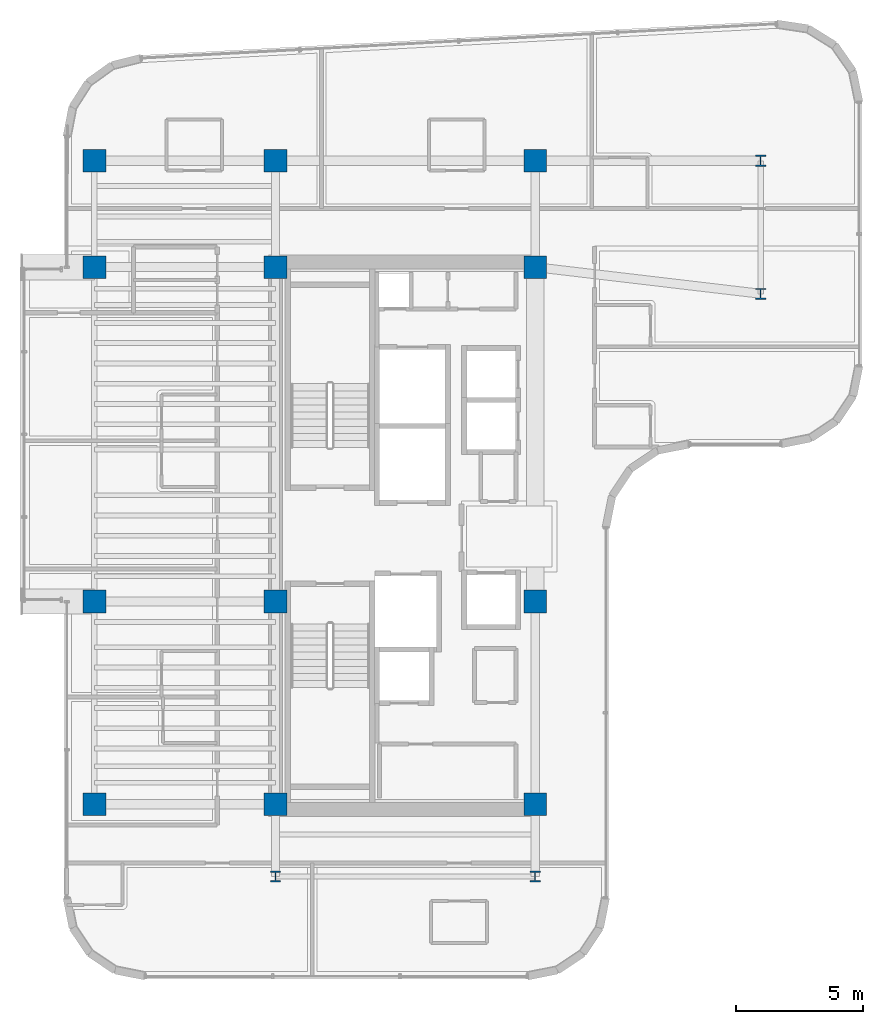
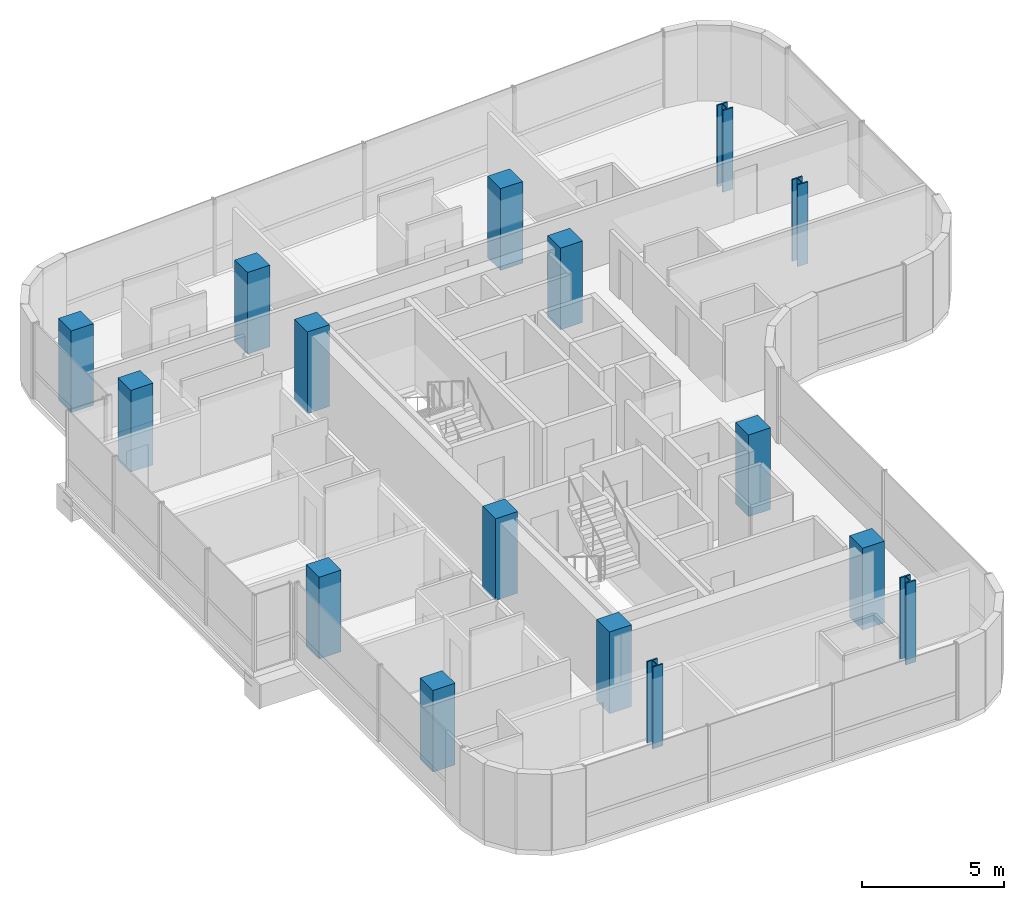
# One storey, part 1 of 22: 16 columns.
"""IFC4 building model written with IfcOpenShell, lengths in metres."""

import ifcopenshell
import ifcopenshell.guid

model = None  # the IFC model being written
_history = None  # IfcOwnerHistory: only IFC2X3 demands one
_inside = {}  # id of a spatial element -> (the spatial element, [elements in it])
_under = {}  # id of a project, library or spatial element -> (it, [spatial elements below it])
_declared = {}  # id of a project -> (the project, [libraries it declares])
_typed = {}  # id of a type object -> (the type object, [elements of that type])
_made_of = {}  # id of a material, layer set ... -> (it, [elements and type objects made of it])


def new_model(schema):
    """Start an empty IFC model of exactly this schema.

    Asked for "IFC4X3", IfcOpenShell would pick the latest addendum, in which some entities
    have other attributes; the version numbers below select the first issue.
    IFC2X3 requires an IfcOwnerHistory on every rooted entity: one is made here for all.
    """
    global model, _history
    if schema == "IFC4X3":
        model = ifcopenshell.file(schema_version=(4, 3, 0, 0))
    else:
        model = ifcopenshell.file(schema=schema)
    _inside.clear()
    _under.clear()
    _declared.clear()
    _typed.clear()
    _made_of.clear()
    _history = None
    if model.schema == "IFC2X3":
        org = make("IfcOrganization", Name="unknown")
        user = make(
            "IfcPersonAndOrganization",
            ThePerson=make("IfcPerson", FamilyName="unknown"),
            TheOrganization=org,
        )
        app = make(
            "IfcApplication",
            ApplicationDeveloper=org,
            Version="unknown",
            ApplicationFullName="unknown",
            ApplicationIdentifier="unknown",
        )
        _history = make(
            "IfcOwnerHistory",
            OwningUser=user,
            OwningApplication=app,
            ChangeAction="ADDED",
            CreationDate=0,
        )
    return model


def make(cls, **values):
    """One entity of the class cls with the attributes given. An attribute that is None is left unset."""
    return model.create_entity(
        cls, **{name: value for name, value in values.items() if value is not None}
    )


def rooted(cls, **values):
    """An entity with a GlobalId (a new one), such as an element, a storey or a relation."""
    return make(cls, GlobalId=ifcopenshell.guid.new(), OwnerHistory=_history, **values)


def si_unit(unit_type, name, prefix=None):
    """IfcSIUnit, for example si_unit("LENGTHUNIT", "METRE", prefix="MILLI")."""
    return make("IfcSIUnit", UnitType=unit_type, Prefix=prefix, Name=name)


def assignment(units):
    """IfcUnitAssignment: the units of a project."""
    return None if units is None else make("IfcUnitAssignment", Units=units)


def point(xyz):
    """IfcCartesianPoint."""
    return None if xyz is None else make("IfcCartesianPoint", Coordinates=xyz)


def direction(xyz):
    """IfcDirection."""
    return None if xyz is None else make("IfcDirection", DirectionRatios=xyz)


def frame(location, z_axis=None, x_axis=None):
    """IfcAxis2Placement3D, a coordinate frame: its origin and axes. An axis left out is left unset."""
    return make(
        "IfcAxis2Placement3D",
        Location=point(location),
        Axis=direction(z_axis),
        RefDirection=direction(x_axis),
    )


def frame_2d(location, x_axis=None):
    """IfcAxis2Placement2D, a coordinate frame in the plane: its origin and x axis."""
    return make(
        "IfcAxis2Placement2D", Location=point(location), RefDirection=direction(x_axis)
    )


def origin():
    """The frame at (0, 0, 0) with its axes left unset."""
    return frame((0.0, 0.0, 0.0))


def origin_2d():
    """The frame at (0, 0) in the plane with its x axis left unset."""
    return frame_2d((0.0, 0.0))


def place(relative_to, where):
    """IfcLocalPlacement: puts the frame where relative to a parent placement (None: the world)."""
    return make(
        "IfcLocalPlacement", PlacementRelTo=relative_to, RelativePlacement=where
    )


def context(
    kind, dimensions, precision=None, world=None, true_north=None, identifier=None
):
    """IfcGeometricRepresentationContext, for example the 3D "Model" context."""
    return make(
        "IfcGeometricRepresentationContext",
        ContextIdentifier=identifier,
        ContextType=kind,
        CoordinateSpaceDimension=dimensions,
        Precision=precision,
        WorldCoordinateSystem=world,
        TrueNorth=true_north,
    )


def subcontext(parent, identifier, kind, view, scale=None):
    """IfcGeometricRepresentationSubContext, for example "Body" below "Model"."""
    return make(
        "IfcGeometricRepresentationSubContext",
        ContextIdentifier=identifier,
        ContextType=kind,
        ParentContext=parent,
        TargetScale=scale,
        TargetView=view,
    )


def project(units=None, contexts=None):
    """IfcProject with its units and contexts."""
    return rooted(
        "IfcProject",
        Name="project",
        RepresentationContexts=contexts,
        UnitsInContext=assignment(units),
    )


def spatial(cls, under=None, at=None, **own):
    """A site, building, storey or space (cls), placed at a placement, below another one or the project."""
    s = rooted(cls, ObjectPlacement=at, **own)
    if under is not None:
        _under.setdefault(under.id(), (under, []))[1].append(s)
    return s


def profile(cls, at=None, kind="AREA", **sizes):
    """A parametric profile (cls). Its sizes go by their IFC names, for example OverallWidth=200.0."""
    return make(cls, ProfileType=kind, Position=at, **sizes)


def rectangle(**sizes):
    """IfcRectangleProfileDef."""
    return profile("IfcRectangleProfileDef", **sizes)


def i_section(**sizes):
    """IfcIShapeProfileDef."""
    return profile("IfcIShapeProfileDef", **sizes)


def extrude(swept, where, along, depth):
    """IfcExtrudedAreaSolid: the profile swept, set in the frame where, extruded along a direction by depth."""
    return make(
        "IfcExtrudedAreaSolid",
        SweptArea=swept,
        Position=where,
        ExtrudedDirection=direction(along),
        Depth=depth,
    )


def shape(context_of_items, identifier, shape_type, items):
    """IfcShapeRepresentation: the items that make up one representation, for example the "Body"."""
    return make(
        "IfcShapeRepresentation",
        ContextOfItems=context_of_items,
        RepresentationIdentifier=identifier,
        RepresentationType=shape_type,
        Items=items,
    )


def source(mapping_origin, context_of_items, identifier, shape_type, items):
    """IfcRepresentationMap: a shape defined once, which mapped items show again and again."""
    return make(
        "IfcRepresentationMap",
        MappingOrigin=mapping_origin,
        MappedRepresentation=shape(context_of_items, identifier, shape_type, items),
    )


def transform(
    local_origin,
    x_axis=None,
    y_axis=None,
    z_axis=None,
    scale=None,
    scale2=None,
    scale3=None,
    uniform=True,
):
    """IfcCartesianTransformationOperator3D, or its non-uniform kind. x_axis, y_axis, z_axis: its Axis1, 2, 3."""
    if uniform:
        return make(
            "IfcCartesianTransformationOperator3D",
            Axis1=direction(x_axis),
            Axis2=direction(y_axis),
            LocalOrigin=point(local_origin),
            Scale=scale,
            Axis3=direction(z_axis),
        )
    return make(
        "IfcCartesianTransformationOperator3DnonUniform",
        Axis1=direction(x_axis),
        Axis2=direction(y_axis),
        LocalOrigin=point(local_origin),
        Scale=scale,
        Axis3=direction(z_axis),
        Scale2=scale2,
        Scale3=scale3,
    )


def mapped(mapping_source, mapping_target):
    """IfcMappedItem: shows the shape of a source again, moved by a transform."""
    return make(
        "IfcMappedItem", MappingSource=mapping_source, MappingTarget=mapping_target
    )


def material(Name=None, Category=None):
    """IfcMaterial."""
    return make("IfcMaterial", Name=Name, Category=Category)


def material_profile(
    of_material, cross_section, Name=None, Category=None, Priority=None
):
    """IfcMaterialProfile: a cross section and its material."""
    return make(
        "IfcMaterialProfile",
        Name=Name,
        Material=of_material,
        Profile=cross_section,
        Priority=Priority,
        Category=Category,
    )


def profile_set(profiles, Name=None, composite=None):
    """IfcMaterialProfileSet."""
    return make(
        "IfcMaterialProfileSet",
        Name=Name,
        MaterialProfiles=profiles,
        CompositeProfile=composite,
    )


def made_of(thing, what):
    """Note that an element or type object is made of a material, layer set ...; save() writes the relation."""
    if what is not None:
        _made_of.setdefault(what.id(), (what, []))[1].append(thing)
    return thing


def type_object(cls, material=None, **own):
    """A type object (cls), such as IfcWallType, which elements share."""
    return made_of(rooted(cls, **own), material)


def element(
    cls,
    number,
    at=None,
    inside=None,
    cuts=None,
    type_object=None,
    material=None,
    context=None,
    identifier="Body",
    shape_type=None,
    held_by="IfcProductDefinitionShape",
    body=None,
    shapes=None,
    **own,
):
    """One element of the class cls, such as IfcWall. Its Tag is "e" and its number.

    at: its placement. inside: the storey or other place that contains it. cuts: it is an
    opening in that element (IfcRelVoidsElement). A single representation is given by context,
    identifier, shape_type and body (its items); several are given by shapes. held_by: the class
    of the entity that holds the representations. save() writes the other relations.
    """
    e = rooted(cls, Tag="e%d" % number, ObjectPlacement=at, **own)
    if body is not None:
        shapes = [shape(context, identifier, shape_type, body)]
    if shapes is not None:
        e.Representation = make(held_by, Representations=shapes)
    if inside is not None:
        _inside.setdefault(inside.id(), (inside, []))[1].append(e)
    if cuts is not None:
        rooted(
            "IfcRelVoidsElement", RelatingBuildingElement=cuts, RelatedOpeningElement=e
        )
    if type_object is not None:
        _typed.setdefault(type_object.id(), (type_object, []))[1].append(e)
    return made_of(e, material)


def aggregate(whole, parts):
    """IfcRelAggregates: a whole, such as a stair, and the parts it consists of."""
    return rooted("IfcRelAggregates", RelatingObject=whole, RelatedObjects=parts)


def save(model, path):
    """Write the relations noted so far, then the file.

    IfcRelAggregates (storeys below a building ...), IfcRelContainedInSpatialStructure (elements
    in a storey), IfcRelDefinesByType, IfcRelAssociatesMaterial and IfcRelDeclares: one each for
    every whole, place, type object, material and project.
    """
    for whole, parts in _under.values():
        aggregate(whole, parts)
    for where, things in _inside.values():
        rooted(
            "IfcRelContainedInSpatialStructure",
            RelatedElements=things,
            RelatingStructure=where,
        )
    for kind, things in _typed.values():
        rooted("IfcRelDefinesByType", RelatedObjects=things, RelatingType=kind)
    for what, things in _made_of.values():
        rooted("IfcRelAssociatesMaterial", RelatedObjects=things, RelatingMaterial=what)
    for by, libraries in _declared.values():
        rooted("IfcRelDeclares", RelatingContext=by, RelatedDefinitions=libraries)
    model.write(path)


model = new_model("IFC4")

# Units and contexts
model_context = context("Model", 3, precision=1e-05, world=origin(), true_north=direction((0.0, 1.0)))
body_context = subcontext(model_context, "Body", "Model", "MODEL_VIEW")
ifc_project = project(units=[si_unit("LENGTHUNIT", "METRE"), si_unit("AREAUNIT", "SQUARE_METRE"), si_unit("VOLUMEUNIT", "CUBIC_METRE"), si_unit("PLANEANGLEUNIT", "RADIAN"), si_unit("MASSUNIT", "GRAM", prefix="KILO")], contexts=[model_context])

# Site, building, storey
site_placement = place(None, origin())
site = spatial("IfcSite", under=ifc_project, at=site_placement, CompositionType="ELEMENT")
building_placement = place(site_placement, origin())
building = spatial("IfcBuilding", under=site, at=building_placement, Name="Valdorenza Pilgrim Sanctuary Tower", CompositionType="ELEMENT")
storey_placement = place(building_placement, frame((0.0, 0.0, 212.5)))
storey = spatial("IfcBuildingStorey", under=building, at=storey_placement, Name="L54", CompositionType="ELEMENT", Elevation=212.5)

# Columns
ifc_material_1 = material(Name="Concrete C50/60", Category="concrete")
ifc_material_profile_1 = material_profile(ifc_material_1, rectangle(XDim=0.89990234375, YDim=0.89990234375, at=origin_2d()), Name="RC 900x900")
ifc_profile_set_1 = profile_set([ifc_material_profile_1], Name="Concrete C50/60")
column_type_1 = type_object("IfcColumnType", Name="COL-Z4A-900", PredefinedType="COLUMN", material=ifc_profile_set_1)
shared_shape_1 = source(origin(), body_context, "Body", "SweptSolid", [
    extrude(rectangle(XDim=0.89990234375, YDim=0.89990234375, at=origin_2d()), origin(), (0.0, 0.0, 1.0), 3.5),
])
for number, where, z_axis, x_axis, name in (
    (1, (-29.800048828125, -10.60009765625, 0.0), (0.0, 0.0, 1.0), (1.0, 0.0, 0.0), "L54 Perimeter Column WA-W-S1"),
    (2, (-22.64990234375, -10.60009765625, 0.0), (0.0, 0.0, 1.0), (1.0, 0.0, 0.0), "L54 Column CA-W-S1"),
    (3, (-12.39990234375, -10.60009765625, 0.0), (0.0, 0.0, 1.0), (1.0, 0.0, 0.0), "L54 Column CA-E-S1"),
    (4, (-29.800048828125, -2.60009765625, 0.0), (0.0, 0.0, 1.0), (1.0, 0.0, 0.0), "L54 Perimeter Column WA-W-M0"),
    (5, (-22.64990234375, -2.60009765625, 0.0), (0.0, 0.0, 1.0), (1.0, 0.0, 0.0), "L54 Column CA-W-M0"),
    (6, (-12.39990234375, -2.60009765625, 0.0), (0.0, 0.0, 1.0), (1.0, 0.0, 0.0), "L54 Column CA-E-M0"),
    (7, (-29.800048828125, 10.60009765625, 0.0), (0.0, 0.0, 1.0), (1.0, 0.0, 0.0), "L54 Perimeter Column WA-W-N1"),
    (8, (-22.64990234375, 10.60009765625, 0.0), (0.0, 0.0, 1.0), (1.0, 0.0, 0.0), "L54 Column CA-W-N1"),
    (9, (-12.39990234375, 10.60009765625, 0.0), (0.0, 0.0, 1.0), (1.0, 0.0, 0.0), "L54 Column CA-E-N1"),
    (10, (-29.800048828125, 14.800048828125, 0.0), (0.0, 0.0, 1.0), (1.0, 0.0, 0.0), "L54 Perimeter Column WA-W-N2"),
    (11, (-22.64990234375, 14.800048828125, 0.0), (0.0, 0.0, 1.0), (1.0, 0.0, 0.0), "L54 Column CA-W-N2"),
    (12, (-12.39990234375, 14.800048828125, 0.0), (0.0, 0.0, 1.0), (1.0, 0.0, 0.0), "L54 Column CA-E-N2"),
):
    element("IfcColumn", number, at=place(storey_placement, frame(where, z_axis=z_axis, x_axis=x_axis)), inside=storey, type_object=column_type_1, Name=name, PredefinedType="COLUMN", context=body_context, shape_type="MappedRepresentation", body=[
        mapped(shared_shape_1, transform((0.0, 0.0, 0.0), x_axis=(1.0, 0.0, 0.0), y_axis=(0.0, 1.0, 0.0), z_axis=(0.0, 0.0, 1.0), scale=1.0)),
    ])
ifc_material_2 = material(Name="Steel ASTM A992 Grade 50", Category="steel")
ifc_material_profile_2 = material_profile(ifc_material_2, i_section(OverallWidth=0.412109375, OverallDepth=0.43505859375, WebThickness=0.035888671875, FlangeThickness=0.057373046875, at=origin_2d()), Name="W14X311")
ifc_profile_set_2 = profile_set([ifc_material_profile_2], Name="Steel ASTM A992 Grade 50")
column_type_2 = type_object("IfcColumnType", Name="COL-STL-W311", PredefinedType="COLUMN", material=ifc_profile_set_2)
shared_shape_2 = source(origin(), body_context, "Body", "SweptSolid", [
    extrude(i_section(OverallWidth=0.412109375, OverallDepth=0.43505859375, WebThickness=0.035888671875, FlangeThickness=0.057373046875, at=origin_2d()), origin(), (0.0, 0.0, 1.0), 3.5),
])
for number, where, z_axis, x_axis, name in (
    (13, (-22.64990234375, -13.449951171875, 0.0), (0.0, 0.0, 1.0), (1.0, 0.0, 0.0), "L54 Column WA-S-W"),
    (14, (-12.39990234375, -13.449951171875, 0.0), (0.0, 0.0, 1.0), (1.0, 0.0, 0.0), "L54 Column WA-S-E"),
    (15, (-3.5, 9.550048828125, 0.0), (0.0, 0.0, 1.0), (1.0, 0.0, 0.0), "L54 Column UWA-K1"),
    (16, (-3.5, 14.800048828125, 0.0), (0.0, 0.0, 1.0), (1.0, 0.0, 0.0), "L54 Column UWA-K2"),
):
    element("IfcColumn", number, at=place(storey_placement, frame(where, z_axis=z_axis, x_axis=x_axis)), inside=storey, type_object=column_type_2, Name=name, PredefinedType="COLUMN", context=body_context, shape_type="MappedRepresentation", body=[
        mapped(shared_shape_2, transform((0.0, 0.0, 0.0), x_axis=(1.0, 0.0, 0.0), y_axis=(0.0, 1.0, 0.0), z_axis=(0.0, 0.0, 1.0), scale=1.0)),
    ])

save(model, "model.ifc")
